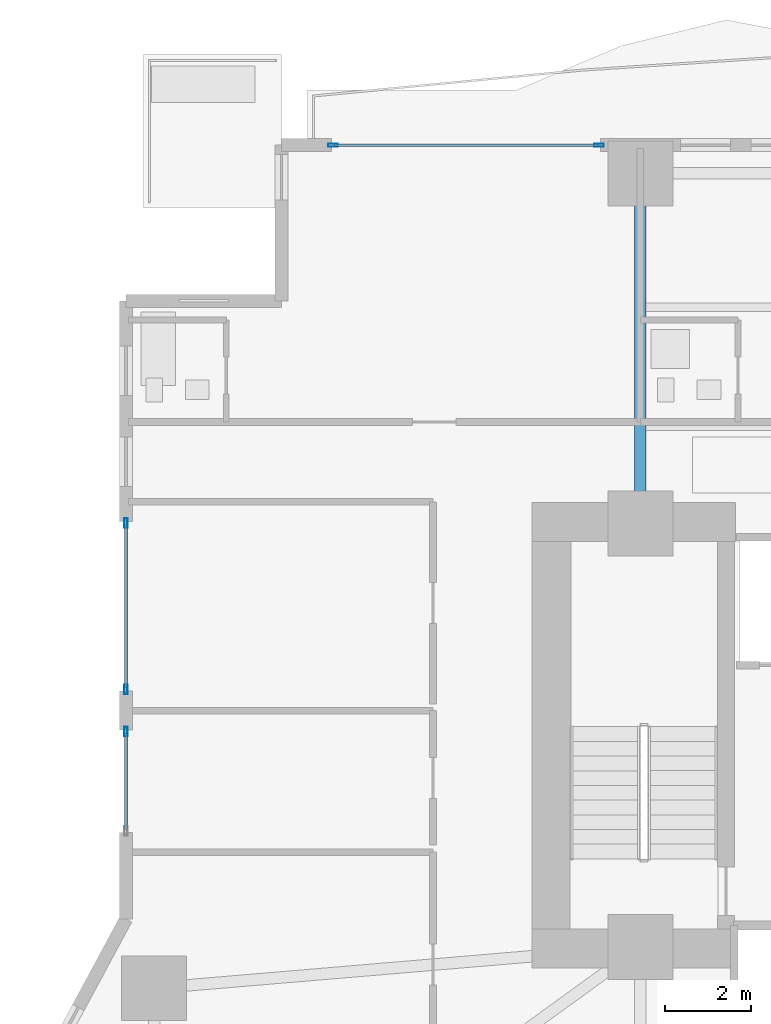
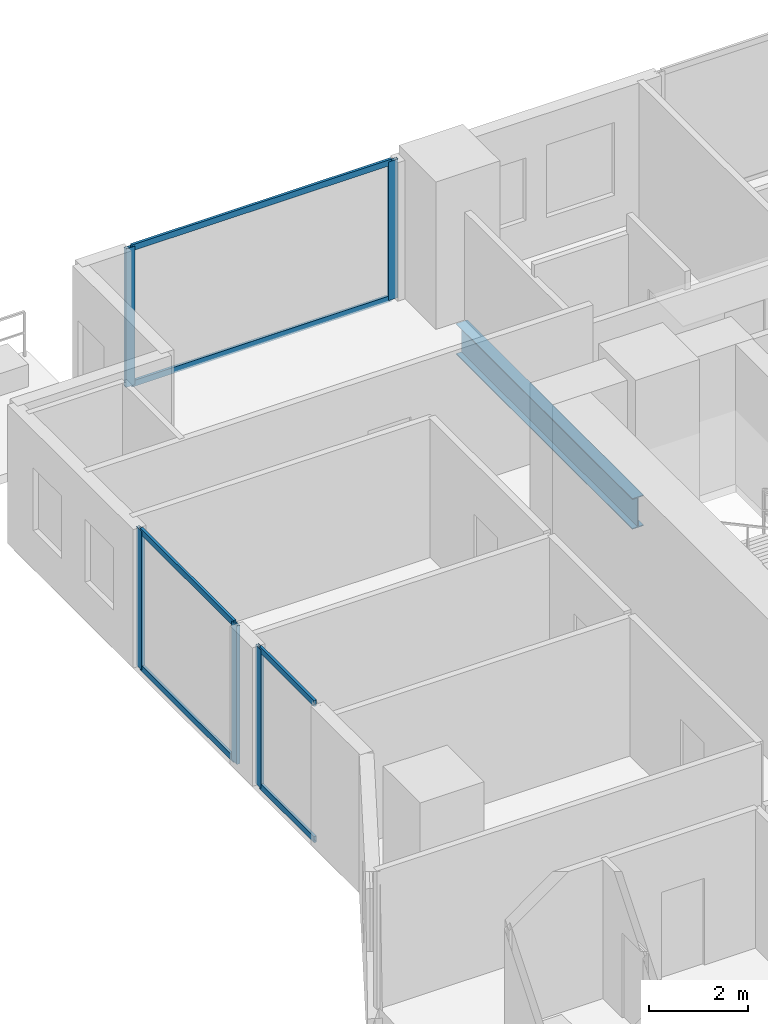
# One storey, part 13 of 29: 11 members, 1 beam, 3 elements without a shape of their own.
"""IFC4 building model written with IfcOpenShell, lengths in metres."""

from ifc_helpers import new_model, si_unit, direction, frame, origin, origin_2d, place, context, subcontext, project, spatial, hollow_rectangle, i_section, extrude, material, layer, layer_set, material_profile, profile_set, type_object, element, aggregate, save


model = new_model("IFC4")

# Units and contexts
model_context = context("Model", 3, precision=1e-05, world=origin(), true_north=direction((0.0, 1.0)))
body_context = subcontext(model_context, "Body", "Model", "MODEL_VIEW")
ifc_project = project(units=[si_unit("LENGTHUNIT", "METRE"), si_unit("AREAUNIT", "SQUARE_METRE"), si_unit("VOLUMEUNIT", "CUBIC_METRE"), si_unit("PLANEANGLEUNIT", "RADIAN"), si_unit("MASSUNIT", "GRAM", prefix="KILO")], contexts=[model_context])

# Site, building, storey
site_placement = place(None, origin())
site = spatial("IfcSite", under=ifc_project, at=site_placement, CompositionType="ELEMENT")
building_placement = place(site_placement, origin())
building = spatial("IfcBuilding", under=site, at=building_placement, Name="Zuhayl Quay Hotel", CompositionType="ELEMENT")
storey_placement = place(building_placement, frame((0.0, 0.0, 60.449951171875)))
storey = spatial("IfcBuildingStorey", under=building, at=storey_placement, Name="L14", CompositionType="ELEMENT", Elevation=60.449951171875)

# Beam
ifc_material_1 = material(Name="Steel ASTM A992 Grade 50", Category="steel")
ifc_material_profile_1 = material_profile(ifc_material_1, i_section(OverallWidth=0.26708984375, OverallDepth=0.761962890625, WebThickness=0.014404296875, FlangeThickness=0.021484375, at=origin_2d()), Name="W30X116")
ifc_profile_set_1 = profile_set([ifc_material_profile_1], Name="Steel ASTM A992 Grade 50")
beam_type = type_object("IfcBeamType", Name="BM_B1_W30X116", PredefinedType="BEAM", material=ifc_profile_set_1)
beam_placement = place(storey_placement, frame((-13.800048828125, 14.800048828125, -0.600830078125), z_axis=(0.0, 1.0, 0.0), x_axis=(-1.0, 0.0, 0.0)))
element("IfcBeam", 1, at=beam_placement, inside=storey, type_object=beam_type, Name="L14 Floor Beam FG_N_L14_1", PredefinedType="BEAM", context=body_context, shape_type="SweptSolid", body=[
    extrude(i_section(OverallWidth=0.26708984375, OverallDepth=0.761962890625, WebThickness=0.014404296875, FlangeThickness=0.021484375, at=origin_2d()), origin(), (0.0, 0.0, 1.0), 7.14990234375),
])

# Curtain wall, member
ifc_material_2 = material(Name="Anodised Aluminium 6063-T6", Category="aluminium")
ifc_layer = layer(ifc_material_2, 0.18994140625, Name="Anodised Aluminium 6063-T6", Category="aluminium")
ifc_layer_set = layer_set([ifc_layer], Name="Anodised Aluminium 6063-T6")
curtain_wall_type = type_object("IfcCurtainWallType", Name="CW_SYS_Z1", PredefinedType="USERDEFINED", material=ifc_layer_set)
curtain_wall_1_placement = place(storey_placement, origin())
curtain_wall_1 = element("IfcCurtainWall", 2, at=curtain_wall_1_placement, inside=storey, type_object=curtain_wall_type, Name="L14 Curtain Wall ENV_L14_E05_CW1", ObjectType="UNITISED CURTAIN WALL", PredefinedType="USERDEFINED")
ifc_material_3 = material(Name="Black-anodised aluminium 6063-T6", Category="aluminium")
ifc_material_profile_2 = material_profile(ifc_material_3, hollow_rectangle(XDim=0.074951171875, YDim=0.219970703125, WallThickness=0.00390625, at=origin_2d()), Name="ALU220X75")
ifc_profile_set_2 = profile_set([ifc_material_profile_2], Name="Black-anodised aluminium 6063-T6")
member_type_1 = type_object("IfcMemberType", Name="MB_CW_MUL_220", PredefinedType="MULLION", material=ifc_profile_set_2)
member_1_placement = place(storey_placement, frame((-25.699951171875, 9.532470703125, 0.0), z_axis=(0.0, 0.0, 1.0), x_axis=(-1.0, 0.0, 0.0)))
member_1 = element("IfcMember", 3, at=member_1_placement, type_object=member_type_1, Name="CW-Z1 mullion 2", PredefinedType="MULLION", context=body_context, shape_type="SweptSolid", body=[
    extrude(hollow_rectangle(XDim=0.074951171875, YDim=0.219970703125, WallThickness=0.00390625, at=origin_2d()), origin(), (0.0, 0.0, 1.0), 3.429931640625),
])

# Curtain wall, members
curtain_wall_2_placement = place(storey_placement, origin())
curtain_wall_2 = element("IfcCurtainWall", 4, at=curtain_wall_2_placement, inside=storey, type_object=curtain_wall_type, Name="L14 Curtain Wall ENV_L14_E05_CW2", ObjectType="UNITISED CURTAIN WALL", PredefinedType="USERDEFINED")
member_2_placement = place(storey_placement, frame((-25.699951171875, 10.507568359375, 0.0), z_axis=(0.0, 0.0, 1.0), x_axis=(-1.0, 0.0, 0.0)))
member_2 = element("IfcMember", 5, at=member_2_placement, type_object=member_type_1, Name="CW-Z1 mullion 1", PredefinedType="MULLION", context=body_context, shape_type="SweptSolid", body=[
    extrude(hollow_rectangle(XDim=0.074951171875, YDim=0.219970703125, WallThickness=0.00390625, at=origin_2d()), origin(), (0.0, 0.0, 1.0), 3.429931640625),
])
member_3_placement = place(storey_placement, frame((-25.699951171875, 14.362548828125, 0.0), z_axis=(0.0, 0.0, 1.0), x_axis=(-1.0, 0.0, 0.0)))
member_3 = element("IfcMember", 6, at=member_3_placement, type_object=member_type_1, Name="CW-Z1 mullion 2", PredefinedType="MULLION", context=body_context, shape_type="SweptSolid", body=[
    extrude(hollow_rectangle(XDim=0.074951171875, YDim=0.219970703125, WallThickness=0.00390625, at=origin_2d()), origin(), (0.0, 0.0, 1.0), 3.429931640625),
])

curtain_wall_3_placement = place(storey_placement, origin())
curtain_wall_3 = element("IfcCurtainWall", 7, at=curtain_wall_3_placement, inside=storey, type_object=curtain_wall_type, Name="L14 Curtain Wall ENV_L14_N_CW1", ObjectType="UNITISED CURTAIN WALL", PredefinedType="USERDEFINED")
member_4_placement = place(storey_placement, frame((-20.91259765625, 23.10009765625, 0.0), z_axis=(0.0, 0.0, 1.0), x_axis=(0.0, 1.0, 0.0)))
member_4 = element("IfcMember", 8, at=member_4_placement, type_object=member_type_1, Name="CW-Z1 mullion 1", PredefinedType="MULLION", context=body_context, shape_type="SweptSolid", body=[
    extrude(hollow_rectangle(XDim=0.074951171875, YDim=0.219970703125, WallThickness=0.00390625, at=origin_2d()), origin(), (0.0, 0.0, 1.0), 3.429931640625),
])
member_5_placement = place(storey_placement, frame((-14.757568359375, 23.10009765625, 0.0), z_axis=(0.0, 0.0, 1.0), x_axis=(0.0, 1.0, 0.0)))
member_5 = element("IfcMember", 9, at=member_5_placement, type_object=member_type_1, Name="CW-Z1 mullion 2", PredefinedType="MULLION", context=body_context, shape_type="SweptSolid", body=[
    extrude(hollow_rectangle(XDim=0.074951171875, YDim=0.219970703125, WallThickness=0.00390625, at=origin_2d()), origin(), (0.0, 0.0, 1.0), 3.429931640625),
])

# Member
ifc_material_profile_3 = material_profile(ifc_material_3, hollow_rectangle(XDim=0.06005859375, YDim=0.14990234375, WallThickness=0.00341796875, at=origin_2d()), Name="ALU150X60")
ifc_profile_set_3 = profile_set([ifc_material_profile_3], Name="Black-anodised aluminium 6063-T6")
member_type_2 = type_object("IfcMemberType", Name="MB_CW_TRN_150", PredefinedType="USERDEFINED", material=ifc_profile_set_3)
member_6_placement = place(storey_placement, frame((-25.699951171875, 7.27490234375, 0.030029296875), z_axis=(0.0, 1.0, 0.0), x_axis=(-1.0, 0.0, 0.0)))
member_6 = element("IfcMember", 10, at=member_6_placement, type_object=member_type_2, Name="CW-Z1 transom 1.1", ObjectType="TRANSOM", PredefinedType="USERDEFINED", context=body_context, shape_type="SweptSolid", body=[
    extrude(hollow_rectangle(XDim=0.06005859375, YDim=0.14990234375, WallThickness=0.00341796875, at=origin_2d()), origin(), (0.0, 0.0, 1.0), 2.22021484375),
])

member_7_placement = place(storey_placement, frame((-25.699951171875, 7.27490234375, 3.400146484375), z_axis=(0.0, 1.0, 0.0), x_axis=(-1.0, 0.0, 0.0)))
member_7 = element("IfcMember", 11, at=member_7_placement, type_object=member_type_2, Name="CW-Z1 transom 1.2", ObjectType="TRANSOM", PredefinedType="USERDEFINED", context=body_context, shape_type="SweptSolid", body=[
    extrude(hollow_rectangle(XDim=0.06005859375, YDim=0.14990234375, WallThickness=0.00341796875, at=origin_2d()), origin(), (0.0, 0.0, 1.0), 2.22021484375),
])

aggregate(curtain_wall_1, [member_1, member_6, member_7])

member_8_placement = place(storey_placement, frame((-25.699951171875, 10.544921875, 0.030029296875), z_axis=(0.0, 1.0, 0.0), x_axis=(-1.0, 0.0, 0.0)))
member_8 = element("IfcMember", 12, at=member_8_placement, type_object=member_type_2, Name="CW-Z1 transom 1.1", ObjectType="TRANSOM", PredefinedType="USERDEFINED", context=body_context, shape_type="SweptSolid", body=[
    extrude(hollow_rectangle(XDim=0.06005859375, YDim=0.14990234375, WallThickness=0.00341796875, at=origin_2d()), origin(), (0.0, 0.0, 1.0), 3.780029296875),
])

member_9_placement = place(storey_placement, frame((-25.699951171875, 10.544921875, 3.400146484375), z_axis=(0.0, 1.0, 0.0), x_axis=(-1.0, 0.0, 0.0)))
member_9 = element("IfcMember", 13, at=member_9_placement, type_object=member_type_2, Name="CW-Z1 transom 1.2", ObjectType="TRANSOM", PredefinedType="USERDEFINED", context=body_context, shape_type="SweptSolid", body=[
    extrude(hollow_rectangle(XDim=0.06005859375, YDim=0.14990234375, WallThickness=0.00341796875, at=origin_2d()), origin(), (0.0, 0.0, 1.0), 3.780029296875),
])

aggregate(curtain_wall_2, [member_2, member_3, member_8, member_9])

member_10_placement = place(storey_placement, frame((-20.875, 23.10009765625, 0.030029296875), z_axis=(1.0, 0.0, 0.0), x_axis=(0.0, 1.0, 0.0)))
member_10 = element("IfcMember", 14, at=member_10_placement, type_object=member_type_2, Name="CW-Z1 transom 1.1", ObjectType="TRANSOM", PredefinedType="USERDEFINED", context=body_context, shape_type="SweptSolid", body=[
    extrude(hollow_rectangle(XDim=0.06005859375, YDim=0.14990234375, WallThickness=0.00341796875, at=origin_2d()), origin(), (0.0, 0.0, 1.0), 6.080078125),
])

member_11_placement = place(storey_placement, frame((-20.875, 23.10009765625, 3.400146484375), z_axis=(1.0, 0.0, 0.0), x_axis=(0.0, 1.0, 0.0)))
member_11 = element("IfcMember", 15, at=member_11_placement, type_object=member_type_2, Name="CW-Z1 transom 1.2", ObjectType="TRANSOM", PredefinedType="USERDEFINED", context=body_context, shape_type="SweptSolid", body=[
    extrude(hollow_rectangle(XDim=0.06005859375, YDim=0.14990234375, WallThickness=0.00341796875, at=origin_2d()), origin(), (0.0, 0.0, 1.0), 6.080078125),
])

aggregate(curtain_wall_3, [member_4, member_5, member_10, member_11])

save(model, "model.ifc")
